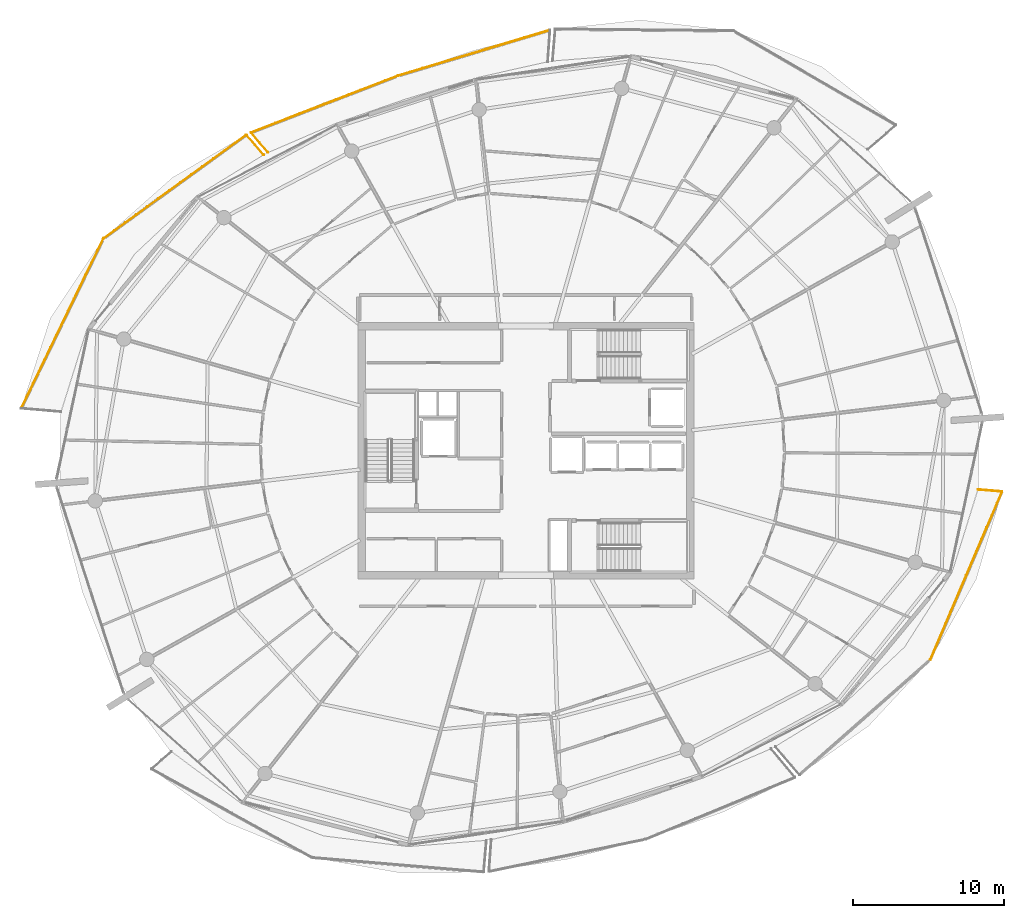
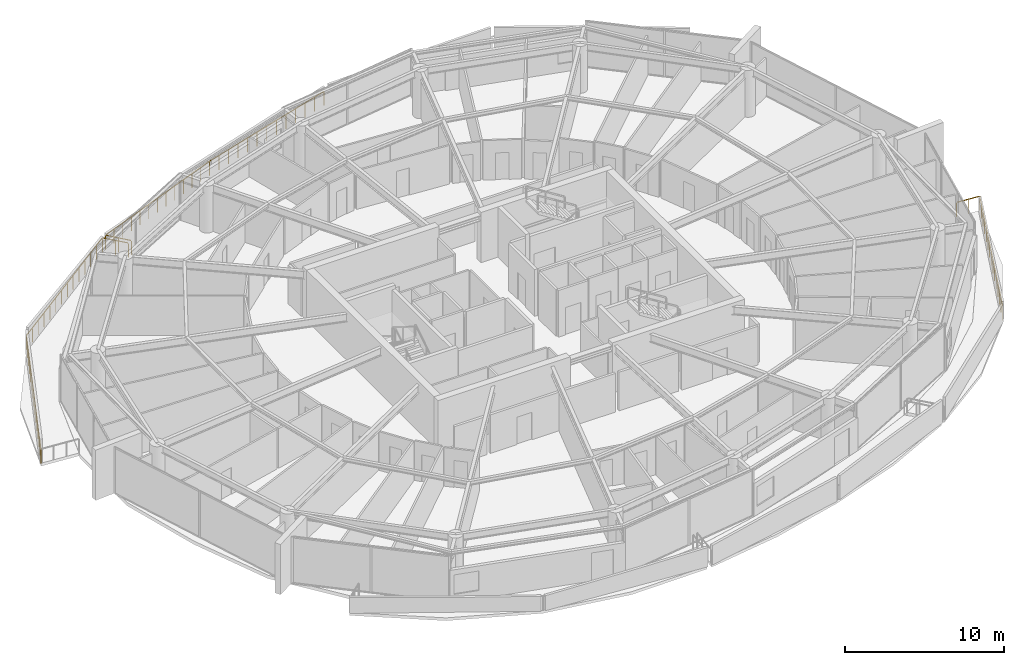
# One storey, part 28 of 30: 8 railings.
"""IFC4 building model written with IfcOpenShell, lengths in metres."""

import ifcopenshell
import ifcopenshell.guid

model = None  # the IFC model being written
_history = None  # IfcOwnerHistory: only IFC2X3 demands one
_inside = {}  # id of a spatial element -> (the spatial element, [elements in it])
_under = {}  # id of a project, library or spatial element -> (it, [spatial elements below it])
_declared = {}  # id of a project -> (the project, [libraries it declares])
_typed = {}  # id of a type object -> (the type object, [elements of that type])
_made_of = {}  # id of a material, layer set ... -> (it, [elements and type objects made of it])


def new_model(schema):
    """Start an empty IFC model of exactly this schema.

    Asked for "IFC4X3", IfcOpenShell would pick the latest addendum, in which some entities
    have other attributes; the version numbers below select the first issue.
    IFC2X3 requires an IfcOwnerHistory on every rooted entity: one is made here for all.
    """
    global model, _history
    if schema == "IFC4X3":
        model = ifcopenshell.file(schema_version=(4, 3, 0, 0))
    else:
        model = ifcopenshell.file(schema=schema)
    _inside.clear()
    _under.clear()
    _declared.clear()
    _typed.clear()
    _made_of.clear()
    _history = None
    if model.schema == "IFC2X3":
        org = make("IfcOrganization", Name="unknown")
        user = make(
            "IfcPersonAndOrganization",
            ThePerson=make("IfcPerson", FamilyName="unknown"),
            TheOrganization=org,
        )
        app = make(
            "IfcApplication",
            ApplicationDeveloper=org,
            Version="unknown",
            ApplicationFullName="unknown",
            ApplicationIdentifier="unknown",
        )
        _history = make(
            "IfcOwnerHistory",
            OwningUser=user,
            OwningApplication=app,
            ChangeAction="ADDED",
            CreationDate=0,
        )
    return model


def make(cls, **values):
    """One entity of the class cls with the attributes given. An attribute that is None is left unset."""
    return model.create_entity(
        cls, **{name: value for name, value in values.items() if value is not None}
    )


def rooted(cls, **values):
    """An entity with a GlobalId (a new one), such as an element, a storey or a relation."""
    return make(cls, GlobalId=ifcopenshell.guid.new(), OwnerHistory=_history, **values)


def si_unit(unit_type, name, prefix=None):
    """IfcSIUnit, for example si_unit("LENGTHUNIT", "METRE", prefix="MILLI")."""
    return make("IfcSIUnit", UnitType=unit_type, Prefix=prefix, Name=name)


def assignment(units):
    """IfcUnitAssignment: the units of a project."""
    return None if units is None else make("IfcUnitAssignment", Units=units)


def point(xyz):
    """IfcCartesianPoint."""
    return None if xyz is None else make("IfcCartesianPoint", Coordinates=xyz)


def direction(xyz):
    """IfcDirection."""
    return None if xyz is None else make("IfcDirection", DirectionRatios=xyz)


def frame(location, z_axis=None, x_axis=None):
    """IfcAxis2Placement3D, a coordinate frame: its origin and axes. An axis left out is left unset."""
    return make(
        "IfcAxis2Placement3D",
        Location=point(location),
        Axis=direction(z_axis),
        RefDirection=direction(x_axis),
    )


def frame_2d(location, x_axis=None):
    """IfcAxis2Placement2D, a coordinate frame in the plane: its origin and x axis."""
    return make(
        "IfcAxis2Placement2D", Location=point(location), RefDirection=direction(x_axis)
    )


def origin():
    """The frame at (0, 0, 0) with its axes left unset."""
    return frame((0.0, 0.0, 0.0))


def origin_2d():
    """The frame at (0, 0) in the plane with its x axis left unset."""
    return frame_2d((0.0, 0.0))


def place(relative_to, where):
    """IfcLocalPlacement: puts the frame where relative to a parent placement (None: the world)."""
    return make(
        "IfcLocalPlacement", PlacementRelTo=relative_to, RelativePlacement=where
    )


def context(
    kind, dimensions, precision=None, world=None, true_north=None, identifier=None
):
    """IfcGeometricRepresentationContext, for example the 3D "Model" context."""
    return make(
        "IfcGeometricRepresentationContext",
        ContextIdentifier=identifier,
        ContextType=kind,
        CoordinateSpaceDimension=dimensions,
        Precision=precision,
        WorldCoordinateSystem=world,
        TrueNorth=true_north,
    )


def subcontext(parent, identifier, kind, view, scale=None):
    """IfcGeometricRepresentationSubContext, for example "Body" below "Model"."""
    return make(
        "IfcGeometricRepresentationSubContext",
        ContextIdentifier=identifier,
        ContextType=kind,
        ParentContext=parent,
        TargetScale=scale,
        TargetView=view,
    )


def project(units=None, contexts=None):
    """IfcProject with its units and contexts."""
    return rooted(
        "IfcProject",
        Name="project",
        RepresentationContexts=contexts,
        UnitsInContext=assignment(units),
    )


def spatial(cls, under=None, at=None, **own):
    """A site, building, storey or space (cls), placed at a placement, below another one or the project."""
    s = rooted(cls, ObjectPlacement=at, **own)
    if under is not None:
        _under.setdefault(under.id(), (under, []))[1].append(s)
    return s


def profile(cls, at=None, kind="AREA", **sizes):
    """A parametric profile (cls). Its sizes go by their IFC names, for example OverallWidth=200.0."""
    return make(cls, ProfileType=kind, Position=at, **sizes)


def rectangle(**sizes):
    """IfcRectangleProfileDef."""
    return profile("IfcRectangleProfileDef", **sizes)


def extrude(swept, where, along, depth):
    """IfcExtrudedAreaSolid: the profile swept, set in the frame where, extruded along a direction by depth."""
    return make(
        "IfcExtrudedAreaSolid",
        SweptArea=swept,
        Position=where,
        ExtrudedDirection=direction(along),
        Depth=depth,
    )


def shape(context_of_items, identifier, shape_type, items):
    """IfcShapeRepresentation: the items that make up one representation, for example the "Body"."""
    return make(
        "IfcShapeRepresentation",
        ContextOfItems=context_of_items,
        RepresentationIdentifier=identifier,
        RepresentationType=shape_type,
        Items=items,
    )


def material(Name=None, Category=None):
    """IfcMaterial."""
    return make("IfcMaterial", Name=Name, Category=Category)


def made_of(thing, what):
    """Note that an element or type object is made of a material, layer set ...; save() writes the relation."""
    if what is not None:
        _made_of.setdefault(what.id(), (what, []))[1].append(thing)
    return thing


def type_object(cls, material=None, **own):
    """A type object (cls), such as IfcWallType, which elements share."""
    return made_of(rooted(cls, **own), material)


def element(
    cls,
    number,
    at=None,
    inside=None,
    cuts=None,
    type_object=None,
    material=None,
    context=None,
    identifier="Body",
    shape_type=None,
    held_by="IfcProductDefinitionShape",
    body=None,
    shapes=None,
    **own,
):
    """One element of the class cls, such as IfcWall. Its Tag is "e" and its number.

    at: its placement. inside: the storey or other place that contains it. cuts: it is an
    opening in that element (IfcRelVoidsElement). A single representation is given by context,
    identifier, shape_type and body (its items); several are given by shapes. held_by: the class
    of the entity that holds the representations. save() writes the other relations.
    """
    e = rooted(cls, Tag="e%d" % number, ObjectPlacement=at, **own)
    if body is not None:
        shapes = [shape(context, identifier, shape_type, body)]
    if shapes is not None:
        e.Representation = make(held_by, Representations=shapes)
    if inside is not None:
        _inside.setdefault(inside.id(), (inside, []))[1].append(e)
    if cuts is not None:
        rooted(
            "IfcRelVoidsElement", RelatingBuildingElement=cuts, RelatedOpeningElement=e
        )
    if type_object is not None:
        _typed.setdefault(type_object.id(), (type_object, []))[1].append(e)
    return made_of(e, material)


def aggregate(whole, parts):
    """IfcRelAggregates: a whole, such as a stair, and the parts it consists of."""
    return rooted("IfcRelAggregates", RelatingObject=whole, RelatedObjects=parts)


def save(model, path):
    """Write the relations noted so far, then the file.

    IfcRelAggregates (storeys below a building ...), IfcRelContainedInSpatialStructure (elements
    in a storey), IfcRelDefinesByType, IfcRelAssociatesMaterial and IfcRelDeclares: one each for
    every whole, place, type object, material and project.
    """
    for whole, parts in _under.values():
        aggregate(whole, parts)
    for where, things in _inside.values():
        rooted(
            "IfcRelContainedInSpatialStructure",
            RelatedElements=things,
            RelatingStructure=where,
        )
    for kind, things in _typed.values():
        rooted("IfcRelDefinesByType", RelatedObjects=things, RelatingType=kind)
    for what, things in _made_of.values():
        rooted("IfcRelAssociatesMaterial", RelatedObjects=things, RelatingMaterial=what)
    for by, libraries in _declared.values():
        rooted("IfcRelDeclares", RelatingContext=by, RelatedDefinitions=libraries)
    model.write(path)


model = new_model("IFC4")

# Units and contexts
model_context = context("Model", 3, precision=1e-05, world=origin(), true_north=direction((0.0, 1.0)))
body_context = subcontext(model_context, "Body", "Model", "MODEL_VIEW")
ifc_project = project(units=[si_unit("LENGTHUNIT", "METRE"), si_unit("AREAUNIT", "SQUARE_METRE"), si_unit("VOLUMEUNIT", "CUBIC_METRE"), si_unit("PLANEANGLEUNIT", "RADIAN"), si_unit("MASSUNIT", "GRAM", prefix="KILO")], contexts=[model_context])

# Site, building, storey
site_placement = place(None, origin())
site = spatial("IfcSite", under=ifc_project, at=site_placement, CompositionType="ELEMENT")
building_placement = place(site_placement, origin())
building = spatial("IfcBuilding", under=site, at=building_placement, Name="Kazma Halo Residences", CompositionType="ELEMENT")
storey_placement = place(building_placement, frame((0.0, 0.0, 290.60009765625)))
storey = spatial("IfcBuildingStorey", under=building, at=storey_placement, Name="L73", CompositionType="ELEMENT", Elevation=290.60009765625)

# Railings
ifc_material = material(Name="Aluminium AW-6063 T6 Brushed Cap Rail", Category="aluminium")
railing_type = type_object("IfcRailingType", Name="RLG-BAL-CAP-1120", PredefinedType="BALUSTRADE", material=ifc_material)
railing_1_placement = place(storey_placement, frame((50.019775390625, 69.83642578125, 0.0)))
element("IfcRailing", 1, at=railing_1_placement, inside=storey, type_object=railing_type, Name="L73 NNW wave balcony guard 2", PredefinedType="BALUSTRADE", context=body_context, shape_type="SweptSolid", body=[
    extrude(rectangle(XDim=0.050048828125, YDim=0.050048828125, at=origin_2d()), frame((-0.040771484375, -0.01220703125, 1.09521484375), z_axis=(-0.957652462727, -0.287926658427, 0.0), x_axis=(0.287926658427, -0.957652462727, 0.0)), (0.0, 0.0, 1.0), 10.440185546875),
    extrude(rectangle(XDim=0.0400390625, YDim=0.0400390625, at=origin_2d()), origin(), (0.0, 0.0, 1.0), 1.05810546875),
    extrude(rectangle(XDim=0.0400390625, YDim=0.0400390625, at=origin_2d()), frame((-0.83984375, -0.25244140625, 0.0)), (0.0, 0.0, 1.0), 1.05810546875),
    extrude(rectangle(XDim=0.0400390625, YDim=0.0400390625, at=origin_2d()), frame((-1.679931640625, -0.505126953125, 0.0)), (0.0, 0.0, 1.0), 1.05810546875),
    extrude(rectangle(XDim=0.0400390625, YDim=0.0400390625, at=origin_2d()), frame((-2.52001953125, -0.757568359375, 0.0)), (0.0, 0.0, 1.0), 1.05810546875),
    extrude(rectangle(XDim=0.0400390625, YDim=0.0400390625, at=origin_2d()), frame((-3.35986328125, -1.01025390625, 0.0)), (0.0, 0.0, 1.0), 1.05810546875),
    extrude(rectangle(XDim=0.0400390625, YDim=0.0400390625, at=origin_2d()), frame((-4.19970703125, -1.2626953125, 0.0)), (0.0, 0.0, 1.0), 1.05810546875),
    extrude(rectangle(XDim=0.0400390625, YDim=0.0400390625, at=origin_2d()), frame((-5.039794921875, -1.51513671875, 0.0)), (0.0, 0.0, 1.0), 1.05810546875),
    extrude(rectangle(XDim=0.0400390625, YDim=0.0400390625, at=origin_2d()), frame((-5.8798828125, -1.767822265625, 0.0)), (0.0, 0.0, 1.0), 1.05810546875),
    extrude(rectangle(XDim=0.0400390625, YDim=0.0400390625, at=origin_2d()), frame((-6.7197265625, -2.020263671875, 0.0)), (0.0, 0.0, 1.0), 1.05810546875),
    extrude(rectangle(XDim=0.0400390625, YDim=0.0400390625, at=origin_2d()), frame((-7.5595703125, -2.27294921875, 0.0)), (0.0, 0.0, 1.0), 1.05810546875),
    extrude(rectangle(XDim=0.0400390625, YDim=0.0400390625, at=origin_2d()), frame((-8.399658203125, -2.525390625, 0.0)), (0.0, 0.0, 1.0), 1.05810546875),
    extrude(rectangle(XDim=0.0400390625, YDim=0.0400390625, at=origin_2d()), frame((-9.23974609375, -2.778076171875, 0.0)), (0.0, 0.0, 1.0), 1.05810546875),
    extrude(rectangle(XDim=0.0400390625, YDim=0.0400390625, at=origin_2d()), frame((-10.07958984375, -3.030517578125, 0.0)), (0.0, 0.0, 1.0), 1.05810546875),
])
railing_2_placement = place(storey_placement, frame((39.940185546875, 66.805908203125, 0.0)))
element("IfcRailing", 2, at=railing_2_placement, inside=storey, type_object=railing_type, Name="L73 NNW wave balcony guard 3", PredefinedType="BALUSTRADE", context=body_context, shape_type="SweptSolid", body=[
    extrude(rectangle(XDim=0.050048828125, YDim=0.050048828125, at=origin_2d()), frame((-0.039794921875, -0.015380859375, 1.09521484375), z_axis=(-0.932680975697, -0.36070236702, 0.0), x_axis=(0.36070236702, -0.932680975697, 0.0)), (0.0, 0.0, 1.0), 10.31591796875),
    extrude(rectangle(XDim=0.0400390625, YDim=0.0400390625, at=origin_2d()), origin(), (0.0, 0.0, 1.0), 1.05810546875),
    extrude(rectangle(XDim=0.0400390625, YDim=0.0400390625, at=origin_2d()), frame((-0.808349609375, -0.312744140625, 0.0)), (0.0, 0.0, 1.0), 1.05810546875),
    extrude(rectangle(XDim=0.0400390625, YDim=0.0400390625, at=origin_2d()), frame((-1.61669921875, -0.625244140625, 0.0)), (0.0, 0.0, 1.0), 1.05810546875),
    extrude(rectangle(XDim=0.0400390625, YDim=0.0400390625, at=origin_2d()), frame((-2.42529296875, -0.93798828125, 0.0)), (0.0, 0.0, 1.0), 1.05810546875),
    extrude(rectangle(XDim=0.0400390625, YDim=0.0400390625, at=origin_2d()), frame((-3.233642578125, -1.25048828125, 0.0)), (0.0, 0.0, 1.0), 1.05810546875),
    extrude(rectangle(XDim=0.0400390625, YDim=0.0400390625, at=origin_2d()), frame((-4.0419921875, -1.563232421875, 0.0)), (0.0, 0.0, 1.0), 1.05810546875),
    extrude(rectangle(XDim=0.0400390625, YDim=0.0400390625, at=origin_2d()), frame((-4.8505859375, -1.8759765625, 0.0)), (0.0, 0.0, 1.0), 1.05810546875),
    extrude(rectangle(XDim=0.0400390625, YDim=0.0400390625, at=origin_2d()), frame((-5.658935546875, -2.1884765625, 0.0)), (0.0, 0.0, 1.0), 1.05810546875),
    extrude(rectangle(XDim=0.0400390625, YDim=0.0400390625, at=origin_2d()), frame((-6.46728515625, -2.501220703125, 0.0)), (0.0, 0.0, 1.0), 1.05810546875),
    extrude(rectangle(XDim=0.0400390625, YDim=0.0400390625, at=origin_2d()), frame((-7.275634765625, -2.813720703125, 0.0)), (0.0, 0.0, 1.0), 1.05810546875),
    extrude(rectangle(XDim=0.0400390625, YDim=0.0400390625, at=origin_2d()), frame((-8.083984375, -3.12646484375, 0.0)), (0.0, 0.0, 1.0), 1.05810546875),
    extrude(rectangle(XDim=0.0400390625, YDim=0.0400390625, at=origin_2d()), frame((-8.892578125, -3.43896484375, 0.0)), (0.0, 0.0, 1.0), 1.05810546875),
    extrude(rectangle(XDim=0.0400390625, YDim=0.0400390625, at=origin_2d()), frame((-9.700927734375, -3.751708984375, 0.0)), (0.0, 0.0, 1.0), 1.05810546875),
])
railing_3_placement = place(storey_placement, frame((30.2392578125, 63.05419921875, 0.0)))
element("IfcRailing", 3, at=railing_3_placement, inside=storey, type_object=railing_type, Name="L73 NNW wave balcony guard 4", PredefinedType="BALUSTRADE", context=body_context, shape_type="SweptSolid", body=[
    extrude(rectangle(XDim=0.050048828125, YDim=0.050048828125, at=origin_2d()), frame((0.02734375, -0.032470703125, 1.09521484375), z_axis=(0.644847767018, -0.764311034443, 0.0), x_axis=(0.764311034443, 0.644847767018, 0.0)), (0.0, 0.0, 1.0), 1.64599609375),
    extrude(rectangle(XDim=0.0400390625, YDim=0.0400390625, at=origin_2d()), origin(), (0.0, 0.0, 1.0), 1.05810546875),
    extrude(rectangle(XDim=0.0400390625, YDim=0.0400390625, at=origin_2d()), frame((0.55810546875, -0.66162109375, 0.0)), (0.0, 0.0, 1.0), 1.05810546875),
    extrude(rectangle(XDim=0.0400390625, YDim=0.0400390625, at=origin_2d()), frame((1.1162109375, -1.322998046875, 0.0)), (0.0, 0.0, 1.0), 1.05810546875),
])
railing_4_placement = place(storey_placement, frame((31.06787109375, 61.58154296875, 0.0)))
element("IfcRailing", 4, at=railing_4_placement, inside=storey, type_object=railing_type, Name="L73 NW wave balcony guard 1", PredefinedType="BALUSTRADE", context=body_context, shape_type="SweptSolid", body=[
    extrude(rectangle(XDim=0.050048828125, YDim=0.050048828125, at=origin_2d()), frame((-0.02783203125, 0.0322265625, 1.09521484375), z_axis=(-0.654106617809, 0.756402361537, 0.0), x_axis=(-0.756402361537, -0.654106617809, 0.0)), (0.0, 0.0, 1.0), 1.664306640625),
    extrude(rectangle(XDim=0.0400390625, YDim=0.0400390625, at=origin_2d()), origin(), (0.0, 0.0, 1.0), 1.05810546875),
    extrude(rectangle(XDim=0.0400390625, YDim=0.0400390625, at=origin_2d()), frame((-0.572265625, 0.66162109375, 0.0)), (0.0, 0.0, 1.0), 1.05810546875),
    extrude(rectangle(XDim=0.0400390625, YDim=0.0400390625, at=origin_2d()), frame((-1.144287109375, 1.3232421875, 0.0)), (0.0, 0.0, 1.0), 1.05810546875),
])
railing_5_placement = place(storey_placement, frame((29.923583984375, 62.90478515625, 0.0)))
element("IfcRailing", 5, at=railing_5_placement, inside=storey, type_object=railing_type, Name="L73 NW wave balcony guard 2", PredefinedType="BALUSTRADE", context=body_context, shape_type="SweptSolid", body=[
    extrude(rectangle(XDim=0.050048828125, YDim=0.050048828125, at=origin_2d()), frame((-0.034423828125, -0.02490234375, 1.09521484375), z_axis=(-0.809252961713, -0.587460333946, 0.0), x_axis=(0.587460333946, -0.809252961713, 0.0)), (0.0, 0.0, 1.0), 11.611572265625),
    extrude(rectangle(XDim=0.0400390625, YDim=0.0400390625, at=origin_2d()), origin(), (0.0, 0.0, 1.0), 1.05810546875),
    extrude(rectangle(XDim=0.0400390625, YDim=0.0400390625, at=origin_2d()), frame((-0.72802734375, -0.528564453125, 0.0)), (0.0, 0.0, 1.0), 1.05810546875),
    extrude(rectangle(XDim=0.0400390625, YDim=0.0400390625, at=origin_2d()), frame((-1.456298828125, -1.05712890625, 0.0)), (0.0, 0.0, 1.0), 1.05810546875),
    extrude(rectangle(XDim=0.0400390625, YDim=0.0400390625, at=origin_2d()), frame((-2.184326171875, -1.585693359375, 0.0)), (0.0, 0.0, 1.0), 1.05810546875),
    extrude(rectangle(XDim=0.0400390625, YDim=0.0400390625, at=origin_2d()), frame((-2.91259765625, -2.1142578125, 0.0)), (0.0, 0.0, 1.0), 1.05810546875),
    extrude(rectangle(XDim=0.0400390625, YDim=0.0400390625, at=origin_2d()), frame((-3.640625, -2.642822265625, 0.0)), (0.0, 0.0, 1.0), 1.05810546875),
    extrude(rectangle(XDim=0.0400390625, YDim=0.0400390625, at=origin_2d()), frame((-4.36865234375, -3.17138671875, 0.0)), (0.0, 0.0, 1.0), 1.05810546875),
    extrude(rectangle(XDim=0.0400390625, YDim=0.0400390625, at=origin_2d()), frame((-5.096923828125, -3.699951171875, 0.0)), (0.0, 0.0, 1.0), 1.05810546875),
    extrude(rectangle(XDim=0.0400390625, YDim=0.0400390625, at=origin_2d()), frame((-5.824951171875, -4.228515625, 0.0)), (0.0, 0.0, 1.0), 1.05810546875),
    extrude(rectangle(XDim=0.0400390625, YDim=0.0400390625, at=origin_2d()), frame((-6.552978515625, -4.757080078125, 0.0)), (0.0, 0.0, 1.0), 1.05810546875),
    extrude(rectangle(XDim=0.0400390625, YDim=0.0400390625, at=origin_2d()), frame((-7.28125, -5.28564453125, 0.0)), (0.0, 0.0, 1.0), 1.05810546875),
    extrude(rectangle(XDim=0.0400390625, YDim=0.0400390625, at=origin_2d()), frame((-8.00927734375, -5.814208984375, 0.0)), (0.0, 0.0, 1.0), 1.05810546875),
    extrude(rectangle(XDim=0.0400390625, YDim=0.0400390625, at=origin_2d()), frame((-8.737548828125, -6.3427734375, 0.0)), (0.0, 0.0, 1.0), 1.05810546875),
    extrude(rectangle(XDim=0.0400390625, YDim=0.0400390625, at=origin_2d()), frame((-9.465576171875, -6.871337890625, 0.0)), (0.0, 0.0, 1.0), 1.05810546875),
])
railing_6_placement = place(storey_placement, frame((20.4580078125, 56.033447265625, 0.0)))
element("IfcRailing", 6, at=railing_6_placement, inside=storey, type_object=railing_type, Name="L73 NW wave balcony guard 3", PredefinedType="BALUSTRADE", context=body_context, shape_type="SweptSolid", body=[
    extrude(rectangle(XDim=0.050048828125, YDim=0.050048828125, at=origin_2d()), frame((-0.0185546875, -0.038330078125, 1.09521484375), z_axis=(-0.435770522206, -0.900057804797, 0.0), x_axis=(0.900057804797, -0.435770522206, 0.0)), (0.0, 0.0, 1.0), 12.397216796875),
    extrude(rectangle(XDim=0.0400390625, YDim=0.0400390625, at=origin_2d()), origin(), (0.0, 0.0, 1.0), 1.05810546875),
    extrude(rectangle(XDim=0.0400390625, YDim=0.0400390625, at=origin_2d()), frame((-0.388427734375, -0.802490234375, 0.0)), (0.0, 0.0, 1.0), 1.05810546875),
    extrude(rectangle(XDim=0.0400390625, YDim=0.0400390625, at=origin_2d()), frame((-0.777099609375, -1.60498046875, 0.0)), (0.0, 0.0, 1.0), 1.05810546875),
    extrude(rectangle(XDim=0.0400390625, YDim=0.0400390625, at=origin_2d()), frame((-1.16552734375, -2.407470703125, 0.0)), (0.0, 0.0, 1.0), 1.05810546875),
    extrude(rectangle(XDim=0.0400390625, YDim=0.0400390625, at=origin_2d()), frame((-1.55419921875, -3.2099609375, 0.0)), (0.0, 0.0, 1.0), 1.05810546875),
    extrude(rectangle(XDim=0.0400390625, YDim=0.0400390625, at=origin_2d()), frame((-1.942626953125, -4.012451171875, 0.0)), (0.0, 0.0, 1.0), 1.05810546875),
    extrude(rectangle(XDim=0.0400390625, YDim=0.0400390625, at=origin_2d()), frame((-2.331298828125, -4.81494140625, 0.0)), (0.0, 0.0, 1.0), 1.05810546875),
    extrude(rectangle(XDim=0.0400390625, YDim=0.0400390625, at=origin_2d()), frame((-2.7197265625, -5.617431640625, 0.0)), (0.0, 0.0, 1.0), 1.05810546875),
    extrude(rectangle(XDim=0.0400390625, YDim=0.0400390625, at=origin_2d()), frame((-3.108154296875, -6.419921875, 0.0)), (0.0, 0.0, 1.0), 1.05810546875),
    extrude(rectangle(XDim=0.0400390625, YDim=0.0400390625, at=origin_2d()), frame((-3.496826171875, -7.222412109375, 0.0)), (0.0, 0.0, 1.0), 1.05810546875),
    extrude(rectangle(XDim=0.0400390625, YDim=0.0400390625, at=origin_2d()), frame((-3.88525390625, -8.02490234375, 0.0)), (0.0, 0.0, 1.0), 1.05810546875),
    extrude(rectangle(XDim=0.0400390625, YDim=0.0400390625, at=origin_2d()), frame((-4.27392578125, -8.827392578125, 0.0)), (0.0, 0.0, 1.0), 1.05810546875),
    extrude(rectangle(XDim=0.0400390625, YDim=0.0400390625, at=origin_2d()), frame((-4.662353515625, -9.6298828125, 0.0)), (0.0, 0.0, 1.0), 1.05810546875),
    extrude(rectangle(XDim=0.0400390625, YDim=0.0400390625, at=origin_2d()), frame((-5.051025390625, -10.432373046875, 0.0)), (0.0, 0.0, 1.0), 1.05810546875),
    extrude(rectangle(XDim=0.0400390625, YDim=0.0400390625, at=origin_2d()), frame((-5.439453125, -11.23486328125, 0.0)), (0.0, 0.0, 1.0), 1.05810546875),
])
railing_7_placement = place(storey_placement, frame((75.1875, 28.147216796875, 0.0)))
element("IfcRailing", 7, at=railing_7_placement, inside=storey, type_object=railing_type, Name="L73 SE wave balcony guard 3", PredefinedType="BALUSTRADE", context=body_context, shape_type="SweptSolid", body=[
    extrude(rectangle(XDim=0.050048828125, YDim=0.050048828125, at=origin_2d()), frame((0.0166015625, 0.0390625, 1.09521484375), z_axis=(0.392707796249, 0.91966330076, 0.0), x_axis=(-0.91966330076, 0.392707796249, 0.0)), (0.0, 0.0, 1.0), 12.0302734375),
    extrude(rectangle(XDim=0.0400390625, YDim=0.0400390625, at=origin_2d()), origin(), (0.0, 0.0, 1.0), 1.05810546875),
    extrude(rectangle(XDim=0.0400390625, YDim=0.0400390625, at=origin_2d()), frame((0.33984375, 0.7958984375, 0.0)), (0.0, 0.0, 1.0), 1.05810546875),
    extrude(rectangle(XDim=0.0400390625, YDim=0.0400390625, at=origin_2d()), frame((0.6796875, 1.591796875, 0.0)), (0.0, 0.0, 1.0), 1.05810546875),
    extrude(rectangle(XDim=0.0400390625, YDim=0.0400390625, at=origin_2d()), frame((1.01953125, 2.3876953125, 0.0)), (0.0, 0.0, 1.0), 1.05810546875),
    extrude(rectangle(XDim=0.0400390625, YDim=0.0400390625, at=origin_2d()), frame((1.359375, 3.183349609375, 0.0)), (0.0, 0.0, 1.0), 1.05810546875),
    extrude(rectangle(XDim=0.0400390625, YDim=0.0400390625, at=origin_2d()), frame((1.69921875, 3.979248046875, 0.0)), (0.0, 0.0, 1.0), 1.05810546875),
    extrude(rectangle(XDim=0.0400390625, YDim=0.0400390625, at=origin_2d()), frame((2.0390625, 4.775146484375, 0.0)), (0.0, 0.0, 1.0), 1.05810546875),
    extrude(rectangle(XDim=0.0400390625, YDim=0.0400390625, at=origin_2d()), frame((2.37890625, 5.571044921875, 0.0)), (0.0, 0.0, 1.0), 1.05810546875),
    extrude(rectangle(XDim=0.0400390625, YDim=0.0400390625, at=origin_2d()), frame((2.71875, 6.366943359375, 0.0)), (0.0, 0.0, 1.0), 1.05810546875),
    extrude(rectangle(XDim=0.0400390625, YDim=0.0400390625, at=origin_2d()), frame((3.05859375, 7.162841796875, 0.0)), (0.0, 0.0, 1.0), 1.05810546875),
    extrude(rectangle(XDim=0.0400390625, YDim=0.0400390625, at=origin_2d()), frame((3.3984375, 7.958740234375, 0.0)), (0.0, 0.0, 1.0), 1.05810546875),
    extrude(rectangle(XDim=0.0400390625, YDim=0.0400390625, at=origin_2d()), frame((3.73828125, 8.75439453125, 0.0)), (0.0, 0.0, 1.0), 1.05810546875),
    extrude(rectangle(XDim=0.0400390625, YDim=0.0400390625, at=origin_2d()), frame((4.078125, 9.55029296875, 0.0)), (0.0, 0.0, 1.0), 1.05810546875),
    extrude(rectangle(XDim=0.0400390625, YDim=0.0400390625, at=origin_2d()), frame((4.41796875, 10.34619140625, 0.0)), (0.0, 0.0, 1.0), 1.05810546875),
    extrude(rectangle(XDim=0.0400390625, YDim=0.0400390625, at=origin_2d()), frame((4.7578125, 11.14208984375, 0.0)), (0.0, 0.0, 1.0), 1.05810546875),
])
railing_8_placement = place(storey_placement, frame((79.9453125, 39.289306640625, 0.0)))
element("IfcRailing", 8, at=railing_8_placement, inside=storey, type_object=railing_type, Name="L73 SE wave balcony guard 4", PredefinedType="BALUSTRADE", context=body_context, shape_type="SweptSolid", body=[
    extrude(rectangle(XDim=0.050048828125, YDim=0.050048828125, at=origin_2d()), frame((-0.04248046875, 0.003662109375, 1.09521484375), z_axis=(-0.996411975362, 0.08463554428, 0.0), x_axis=(-0.08463554428, -0.996411975362, 0.0)), (0.0, 0.0, 1.0), 1.515869140625),
    extrude(rectangle(XDim=0.0400390625, YDim=0.0400390625, at=origin_2d()), origin(), (0.0, 0.0, 1.0), 1.05810546875),
    extrude(rectangle(XDim=0.0400390625, YDim=0.0400390625, at=origin_2d()), frame((-0.797607421875, 0.06787109375, 0.0)), (0.0, 0.0, 1.0), 1.05810546875),
    extrude(rectangle(XDim=0.0400390625, YDim=0.0400390625, at=origin_2d()), frame((-1.59521484375, 0.135498046875, 0.0)), (0.0, 0.0, 1.0), 1.05810546875),
])

save(model, "model.ifc")
